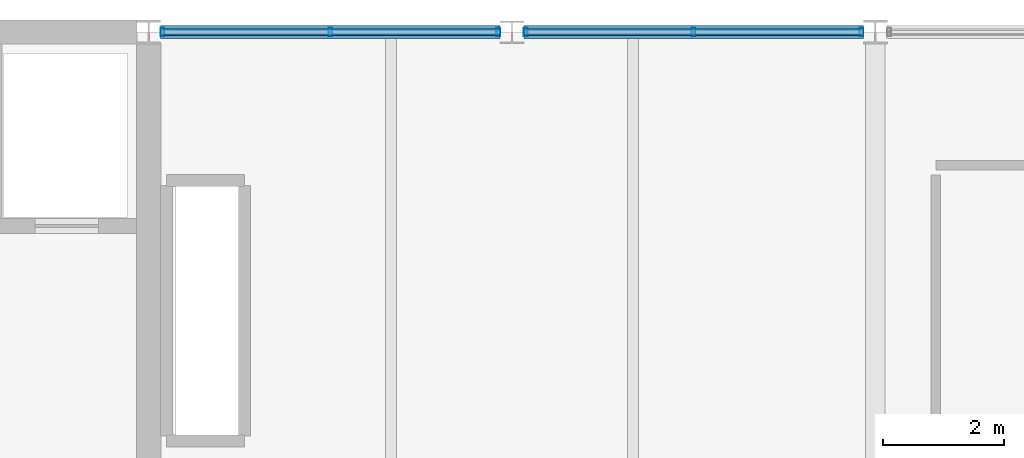
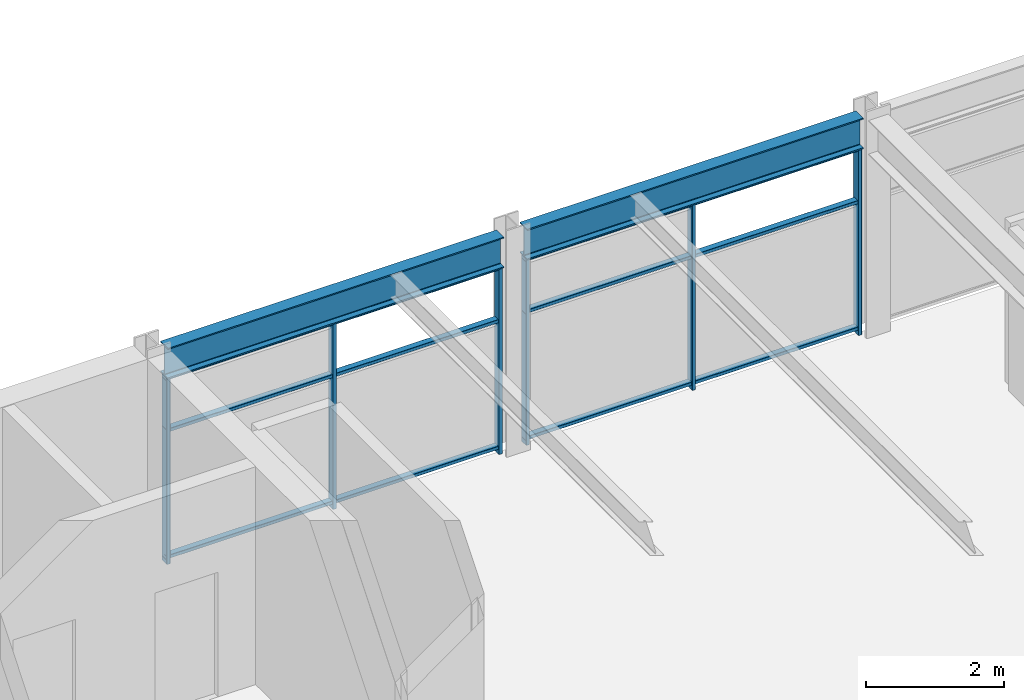
# One storey, part 23 of 52: 12 members, 2 beams, 2 elements without a shape of their own.
"""IFC4 building model written with IfcOpenShell, lengths in metres."""

import ifcopenshell
import ifcopenshell.guid

model = None  # the IFC model being written
_history = None  # IfcOwnerHistory: only IFC2X3 demands one
_inside = {}  # id of a spatial element -> (the spatial element, [elements in it])
_under = {}  # id of a project, library or spatial element -> (it, [spatial elements below it])
_declared = {}  # id of a project -> (the project, [libraries it declares])
_typed = {}  # id of a type object -> (the type object, [elements of that type])
_made_of = {}  # id of a material, layer set ... -> (it, [elements and type objects made of it])


def new_model(schema):
    """Start an empty IFC model of exactly this schema.

    Asked for "IFC4X3", IfcOpenShell would pick the latest addendum, in which some entities
    have other attributes; the version numbers below select the first issue.
    IFC2X3 requires an IfcOwnerHistory on every rooted entity: one is made here for all.
    """
    global model, _history
    if schema == "IFC4X3":
        model = ifcopenshell.file(schema_version=(4, 3, 0, 0))
    else:
        model = ifcopenshell.file(schema=schema)
    _inside.clear()
    _under.clear()
    _declared.clear()
    _typed.clear()
    _made_of.clear()
    _history = None
    if model.schema == "IFC2X3":
        org = make("IfcOrganization", Name="unknown")
        user = make(
            "IfcPersonAndOrganization",
            ThePerson=make("IfcPerson", FamilyName="unknown"),
            TheOrganization=org,
        )
        app = make(
            "IfcApplication",
            ApplicationDeveloper=org,
            Version="unknown",
            ApplicationFullName="unknown",
            ApplicationIdentifier="unknown",
        )
        _history = make(
            "IfcOwnerHistory",
            OwningUser=user,
            OwningApplication=app,
            ChangeAction="ADDED",
            CreationDate=0,
        )
    return model


def make(cls, **values):
    """One entity of the class cls with the attributes given. An attribute that is None is left unset."""
    return model.create_entity(
        cls, **{name: value for name, value in values.items() if value is not None}
    )


def rooted(cls, **values):
    """An entity with a GlobalId (a new one), such as an element, a storey or a relation."""
    return make(cls, GlobalId=ifcopenshell.guid.new(), OwnerHistory=_history, **values)


def si_unit(unit_type, name, prefix=None):
    """IfcSIUnit, for example si_unit("LENGTHUNIT", "METRE", prefix="MILLI")."""
    return make("IfcSIUnit", UnitType=unit_type, Prefix=prefix, Name=name)


def assignment(units):
    """IfcUnitAssignment: the units of a project."""
    return None if units is None else make("IfcUnitAssignment", Units=units)


def point(xyz):
    """IfcCartesianPoint."""
    return None if xyz is None else make("IfcCartesianPoint", Coordinates=xyz)


def direction(xyz):
    """IfcDirection."""
    return None if xyz is None else make("IfcDirection", DirectionRatios=xyz)


def frame(location, z_axis=None, x_axis=None):
    """IfcAxis2Placement3D, a coordinate frame: its origin and axes. An axis left out is left unset."""
    return make(
        "IfcAxis2Placement3D",
        Location=point(location),
        Axis=direction(z_axis),
        RefDirection=direction(x_axis),
    )


def frame_2d(location, x_axis=None):
    """IfcAxis2Placement2D, a coordinate frame in the plane: its origin and x axis."""
    return make(
        "IfcAxis2Placement2D", Location=point(location), RefDirection=direction(x_axis)
    )


def origin():
    """The frame at (0, 0, 0) with its axes left unset."""
    return frame((0.0, 0.0, 0.0))


def origin_2d():
    """The frame at (0, 0) in the plane with its x axis left unset."""
    return frame_2d((0.0, 0.0))


def place(relative_to, where):
    """IfcLocalPlacement: puts the frame where relative to a parent placement (None: the world)."""
    return make(
        "IfcLocalPlacement", PlacementRelTo=relative_to, RelativePlacement=where
    )


def context(
    kind, dimensions, precision=None, world=None, true_north=None, identifier=None
):
    """IfcGeometricRepresentationContext, for example the 3D "Model" context."""
    return make(
        "IfcGeometricRepresentationContext",
        ContextIdentifier=identifier,
        ContextType=kind,
        CoordinateSpaceDimension=dimensions,
        Precision=precision,
        WorldCoordinateSystem=world,
        TrueNorth=true_north,
    )


def subcontext(parent, identifier, kind, view, scale=None):
    """IfcGeometricRepresentationSubContext, for example "Body" below "Model"."""
    return make(
        "IfcGeometricRepresentationSubContext",
        ContextIdentifier=identifier,
        ContextType=kind,
        ParentContext=parent,
        TargetScale=scale,
        TargetView=view,
    )


def project(units=None, contexts=None):
    """IfcProject with its units and contexts."""
    return rooted(
        "IfcProject",
        Name="project",
        RepresentationContexts=contexts,
        UnitsInContext=assignment(units),
    )


def spatial(cls, under=None, at=None, **own):
    """A site, building, storey or space (cls), placed at a placement, below another one or the project."""
    s = rooted(cls, ObjectPlacement=at, **own)
    if under is not None:
        _under.setdefault(under.id(), (under, []))[1].append(s)
    return s


def profile(cls, at=None, kind="AREA", **sizes):
    """A parametric profile (cls). Its sizes go by their IFC names, for example OverallWidth=200.0."""
    return make(cls, ProfileType=kind, Position=at, **sizes)


def hollow_rectangle(**sizes):
    """IfcRectangleHollowProfileDef."""
    return profile("IfcRectangleHollowProfileDef", **sizes)


def i_section(**sizes):
    """IfcIShapeProfileDef."""
    return profile("IfcIShapeProfileDef", **sizes)


def extrude(swept, where, along, depth):
    """IfcExtrudedAreaSolid: the profile swept, set in the frame where, extruded along a direction by depth."""
    return make(
        "IfcExtrudedAreaSolid",
        SweptArea=swept,
        Position=where,
        ExtrudedDirection=direction(along),
        Depth=depth,
    )


def shape(context_of_items, identifier, shape_type, items):
    """IfcShapeRepresentation: the items that make up one representation, for example the "Body"."""
    return make(
        "IfcShapeRepresentation",
        ContextOfItems=context_of_items,
        RepresentationIdentifier=identifier,
        RepresentationType=shape_type,
        Items=items,
    )


def material(Name=None, Category=None):
    """IfcMaterial."""
    return make("IfcMaterial", Name=Name, Category=Category)


def material_profile(
    of_material, cross_section, Name=None, Category=None, Priority=None
):
    """IfcMaterialProfile: a cross section and its material."""
    return make(
        "IfcMaterialProfile",
        Name=Name,
        Material=of_material,
        Profile=cross_section,
        Priority=Priority,
        Category=Category,
    )


def profile_set(profiles, Name=None, composite=None):
    """IfcMaterialProfileSet."""
    return make(
        "IfcMaterialProfileSet",
        Name=Name,
        MaterialProfiles=profiles,
        CompositeProfile=composite,
    )


def made_of(thing, what):
    """Note that an element or type object is made of a material, layer set ...; save() writes the relation."""
    if what is not None:
        _made_of.setdefault(what.id(), (what, []))[1].append(thing)
    return thing


def type_object(cls, material=None, **own):
    """A type object (cls), such as IfcWallType, which elements share."""
    return made_of(rooted(cls, **own), material)


def element(
    cls,
    number,
    at=None,
    inside=None,
    cuts=None,
    type_object=None,
    material=None,
    context=None,
    identifier="Body",
    shape_type=None,
    held_by="IfcProductDefinitionShape",
    body=None,
    shapes=None,
    **own,
):
    """One element of the class cls, such as IfcWall. Its Tag is "e" and its number.

    at: its placement. inside: the storey or other place that contains it. cuts: it is an
    opening in that element (IfcRelVoidsElement). A single representation is given by context,
    identifier, shape_type and body (its items); several are given by shapes. held_by: the class
    of the entity that holds the representations. save() writes the other relations.
    """
    e = rooted(cls, Tag="e%d" % number, ObjectPlacement=at, **own)
    if body is not None:
        shapes = [shape(context, identifier, shape_type, body)]
    if shapes is not None:
        e.Representation = make(held_by, Representations=shapes)
    if inside is not None:
        _inside.setdefault(inside.id(), (inside, []))[1].append(e)
    if cuts is not None:
        rooted(
            "IfcRelVoidsElement", RelatingBuildingElement=cuts, RelatedOpeningElement=e
        )
    if type_object is not None:
        _typed.setdefault(type_object.id(), (type_object, []))[1].append(e)
    return made_of(e, material)


def aggregate(whole, parts):
    """IfcRelAggregates: a whole, such as a stair, and the parts it consists of."""
    return rooted("IfcRelAggregates", RelatingObject=whole, RelatedObjects=parts)


def save(model, path):
    """Write the relations noted so far, then the file.

    IfcRelAggregates (storeys below a building ...), IfcRelContainedInSpatialStructure (elements
    in a storey), IfcRelDefinesByType, IfcRelAssociatesMaterial and IfcRelDeclares: one each for
    every whole, place, type object, material and project.
    """
    for whole, parts in _under.values():
        aggregate(whole, parts)
    for where, things in _inside.values():
        rooted(
            "IfcRelContainedInSpatialStructure",
            RelatedElements=things,
            RelatingStructure=where,
        )
    for kind, things in _typed.values():
        rooted("IfcRelDefinesByType", RelatedObjects=things, RelatingType=kind)
    for what, things in _made_of.values():
        rooted("IfcRelAssociatesMaterial", RelatedObjects=things, RelatingMaterial=what)
    for by, libraries in _declared.values():
        rooted("IfcRelDeclares", RelatingContext=by, RelatedDefinitions=libraries)
    model.write(path)


model = new_model("IFC4")

# Units and contexts
model_context = context("Model", 3, precision=1e-05, world=origin(), true_north=direction((0.0, 1.0)))
body_context = subcontext(model_context, "Body", "Model", "MODEL_VIEW")
ifc_project = project(units=[si_unit("LENGTHUNIT", "METRE"), si_unit("AREAUNIT", "SQUARE_METRE"), si_unit("VOLUMEUNIT", "CUBIC_METRE"), si_unit("PLANEANGLEUNIT", "RADIAN"), si_unit("MASSUNIT", "GRAM", prefix="KILO")], contexts=[model_context])

# Site, building, storey
site_placement = place(None, origin())
site = spatial("IfcSite", under=ifc_project, at=site_placement, CompositionType="ELEMENT")
building_placement = place(site_placement, origin())
building = spatial("IfcBuilding", under=site, at=building_placement, Name="Girod Span Mobility Hub", CompositionType="ELEMENT")
storey_placement = place(building_placement, frame((0.0, 0.0, 45.60009765625)))
storey = spatial("IfcBuildingStorey", under=building, at=storey_placement, Name="L11", CompositionType="ELEMENT", Elevation=45.60009765625)

# Beams
ifc_material_1 = material(Name="Steel A992 Grade 50", Category="steel")
ifc_material_profile_1 = material_profile(ifc_material_1, i_section(OverallWidth=0.2119140625, OverallDepth=0.5439453125, WebThickness=0.01318359375, FlangeThickness=0.021240234375, FilletRadius=0.014892578125, at=origin_2d()), Name="W21X83")
ifc_profile_set_1 = profile_set([ifc_material_profile_1], Name="Steel A992 Grade 50")
beam_type = type_object("IfcBeamType", Name="BM-STL-W21X83", PredefinedType="SPANDREL", material=ifc_profile_set_1)
for number, where, z_axis, x_axis, name in (
    (1, (60.196533203125, 69.0, 3.56787109375), (1.0, 0.0, 0.0), (0.0, 1.0, 0.0), "Spandrel Beam 6-7/F-W L11"),
    (2, (66.194091796875, 69.0, 3.56787109375), (1.0, 0.0, 0.0), (0.0, 1.0, 0.0), "Spandrel Beam 6-7/F-E L11"),
):
    element("IfcBeam", number, at=place(storey_placement, frame(where, z_axis=z_axis, x_axis=x_axis)), inside=storey, type_object=beam_type, Name=name, PredefinedType="SPANDREL", context=body_context, shape_type="SweptSolid", body=[
        extrude(i_section(OverallWidth=0.2119140625, OverallDepth=0.5439453125, WebThickness=0.01318359375, FlangeThickness=0.021240234375, FilletRadius=0.014892578125, at=origin_2d()), origin(), (0.0, 0.0, 1.0), 5.609375),
    ])

# Curtain wall, members
ifc_material_2 = material(Name="Thermally Broken Anodised Aluminium", Category="aluminium")
curtain_wall_type = type_object("IfcCurtainWallType", Name="CW-561X330", PredefinedType="USERDEFINED", material=ifc_material_2)
curtain_wall_1_placement = place(storey_placement, origin())
curtain_wall_1 = element("IfcCurtainWall", 3, at=curtain_wall_1_placement, inside=storey, type_object=curtain_wall_type, Name="Unitised Curtain Wall CW-L11-N06W L11", ObjectType="UNITISED CURTAIN WALL", PredefinedType="USERDEFINED")
ifc_material_3 = material(Name="Thermally Broken Anodised Aluminium", Category="aluminium")
ifc_material_profile_2 = material_profile(ifc_material_3, hollow_rectangle(XDim=0.139892578125, YDim=0.06005859375, WallThickness=0.00341796875, InnerFilletRadius=0.00341796875, OuterFilletRadius=0.007080078125, at=origin_2d()), Name="CW-ML-60X140")
ifc_profile_set_2 = profile_set([ifc_material_profile_2], Name="Thermally Broken Anodised Aluminium")
member_type_1 = type_object("IfcMemberType", Name="CWM-ML-4", PredefinedType="MULLION", material=ifc_profile_set_2)
member_1_placement = place(storey_placement, frame((60.2294921875, 69.0, 0.0), z_axis=(0.0, 0.0, 1.0), x_axis=(0.0, 1.0, 0.0)))
member_1 = element("IfcMember", 4, at=member_1_placement, type_object=member_type_1, Name="Curtain Wall Mullion CW-L11-N06W-M0", PredefinedType="MULLION", context=body_context, shape_type="SweptSolid", body=[
    extrude(hollow_rectangle(XDim=0.139892578125, YDim=0.06005859375, WallThickness=0.00341796875, InnerFilletRadius=0.00341796875, OuterFilletRadius=0.007080078125, at=origin_2d()), origin(), (0.0, 0.0, 1.0), 3.2958984375),
])
member_2_placement = place(storey_placement, frame((63.001220703125, 69.0, 0.0), z_axis=(0.0, 0.0, 1.0), x_axis=(0.0, 1.0, 0.0)))
member_2 = element("IfcMember", 5, at=member_2_placement, type_object=member_type_1, Name="Curtain Wall Mullion CW-L11-N06W-M1", PredefinedType="MULLION", context=body_context, shape_type="SweptSolid", body=[
    extrude(hollow_rectangle(XDim=0.139892578125, YDim=0.06005859375, WallThickness=0.00341796875, InnerFilletRadius=0.00341796875, OuterFilletRadius=0.007080078125, at=origin_2d()), origin(), (0.0, 0.0, 1.0), 3.2958984375),
])
member_3_placement = place(storey_placement, frame((65.77294921875, 69.0, 0.0), z_axis=(0.0, 0.0, 1.0), x_axis=(0.0, 1.0, 0.0)))
member_3 = element("IfcMember", 6, at=member_3_placement, type_object=member_type_1, Name="Curtain Wall Mullion CW-L11-N06W-M2", PredefinedType="MULLION", context=body_context, shape_type="SweptSolid", body=[
    extrude(hollow_rectangle(XDim=0.139892578125, YDim=0.06005859375, WallThickness=0.00341796875, InnerFilletRadius=0.00341796875, OuterFilletRadius=0.007080078125, at=origin_2d()), origin(), (0.0, 0.0, 1.0), 3.2958984375),
])

curtain_wall_2_placement = place(storey_placement, origin())
curtain_wall_2 = element("IfcCurtainWall", 7, at=curtain_wall_2_placement, inside=storey, type_object=curtain_wall_type, Name="Unitised Curtain Wall CW-L11-N06E L11", ObjectType="UNITISED CURTAIN WALL", PredefinedType="USERDEFINED")
member_4_placement = place(storey_placement, frame((66.22705078125, 69.0, 0.0), z_axis=(0.0, 0.0, 1.0), x_axis=(0.0, 1.0, 0.0)))
member_4 = element("IfcMember", 8, at=member_4_placement, type_object=member_type_1, Name="Curtain Wall Mullion CW-L11-N06E-M0", PredefinedType="MULLION", context=body_context, shape_type="SweptSolid", body=[
    extrude(hollow_rectangle(XDim=0.139892578125, YDim=0.06005859375, WallThickness=0.00341796875, InnerFilletRadius=0.00341796875, OuterFilletRadius=0.007080078125, at=origin_2d()), origin(), (0.0, 0.0, 1.0), 3.2958984375),
])
member_5_placement = place(storey_placement, frame((68.998779296875, 69.0, 0.0), z_axis=(0.0, 0.0, 1.0), x_axis=(0.0, 1.0, 0.0)))
member_5 = element("IfcMember", 9, at=member_5_placement, type_object=member_type_1, Name="Curtain Wall Mullion CW-L11-N06E-M1", PredefinedType="MULLION", context=body_context, shape_type="SweptSolid", body=[
    extrude(hollow_rectangle(XDim=0.139892578125, YDim=0.06005859375, WallThickness=0.00341796875, InnerFilletRadius=0.00341796875, OuterFilletRadius=0.007080078125, at=origin_2d()), origin(), (0.0, 0.0, 1.0), 3.2958984375),
])
member_6_placement = place(storey_placement, frame((71.7705078125, 69.0, 0.0), z_axis=(0.0, 0.0, 1.0), x_axis=(0.0, 1.0, 0.0)))
member_6 = element("IfcMember", 10, at=member_6_placement, type_object=member_type_1, Name="Curtain Wall Mullion CW-L11-N06E-M2", PredefinedType="MULLION", context=body_context, shape_type="SweptSolid", body=[
    extrude(hollow_rectangle(XDim=0.139892578125, YDim=0.06005859375, WallThickness=0.00341796875, InnerFilletRadius=0.00341796875, OuterFilletRadius=0.007080078125, at=origin_2d()), origin(), (0.0, 0.0, 1.0), 3.2958984375),
])

# Member
ifc_material_4 = material(Name="Thermally Broken Anodised Aluminium", Category="aluminium")
ifc_material_profile_3 = material_profile(ifc_material_4, hollow_rectangle(XDim=0.10498046875, YDim=0.06005859375, WallThickness=0.00341796875, InnerFilletRadius=0.00341796875, OuterFilletRadius=0.007080078125, at=origin_2d()), Name="CW-TR-60X105")
ifc_profile_set_3 = profile_set([ifc_material_profile_3], Name="Thermally Broken Anodised Aluminium")
member_type_2 = type_object("IfcMemberType", Name="CWM-TR-4", PredefinedType="USERDEFINED", material=ifc_profile_set_3)
member_7_placement = place(storey_placement, frame((60.197509765625, 69.0, 0.10986328125), z_axis=(1.0, 0.0, 0.0), x_axis=(0.0, 1.0, 0.0)))
member_7 = element("IfcMember", 11, at=member_7_placement, type_object=member_type_2, Name="Curtain Wall Transom CW-L11-N06W-T1", ObjectType="TRANSOM", PredefinedType="USERDEFINED", context=body_context, shape_type="SweptSolid", body=[
    extrude(hollow_rectangle(XDim=0.10498046875, YDim=0.06005859375, WallThickness=0.00341796875, InnerFilletRadius=0.00341796875, OuterFilletRadius=0.007080078125, at=origin_2d()), origin(), (0.0, 0.0, 1.0), 5.607421875),
])

member_8_placement = place(storey_placement, frame((60.197509765625, 69.0, 2.343017578125), z_axis=(1.0, 0.0, 0.0), x_axis=(0.0, 1.0, 0.0)))
member_8 = element("IfcMember", 12, at=member_8_placement, type_object=member_type_2, Name="Curtain Wall Transom CW-L11-N06W-T2", ObjectType="TRANSOM", PredefinedType="USERDEFINED", context=body_context, shape_type="SweptSolid", body=[
    extrude(hollow_rectangle(XDim=0.10498046875, YDim=0.06005859375, WallThickness=0.00341796875, InnerFilletRadius=0.00341796875, OuterFilletRadius=0.007080078125, at=origin_2d()), origin(), (0.0, 0.0, 1.0), 5.607421875),
])

member_9_placement = place(storey_placement, frame((60.197509765625, 69.0, 3.265869140625), z_axis=(1.0, 0.0, 0.0), x_axis=(0.0, 1.0, 0.0)))
member_9 = element("IfcMember", 13, at=member_9_placement, type_object=member_type_2, Name="Curtain Wall Transom CW-L11-N06W-T3", ObjectType="TRANSOM", PredefinedType="USERDEFINED", context=body_context, shape_type="SweptSolid", body=[
    extrude(hollow_rectangle(XDim=0.10498046875, YDim=0.06005859375, WallThickness=0.00341796875, InnerFilletRadius=0.00341796875, OuterFilletRadius=0.007080078125, at=origin_2d()), origin(), (0.0, 0.0, 1.0), 5.607421875),
])

aggregate(curtain_wall_1, [member_1, member_2, member_3, member_7, member_8, member_9])

member_10_placement = place(storey_placement, frame((66.195068359375, 69.0, 0.10986328125), z_axis=(1.0, 0.0, 0.0), x_axis=(0.0, 1.0, 0.0)))
member_10 = element("IfcMember", 14, at=member_10_placement, type_object=member_type_2, Name="Curtain Wall Transom CW-L11-N06E-T1", ObjectType="TRANSOM", PredefinedType="USERDEFINED", context=body_context, shape_type="SweptSolid", body=[
    extrude(hollow_rectangle(XDim=0.10498046875, YDim=0.06005859375, WallThickness=0.00341796875, InnerFilletRadius=0.00341796875, OuterFilletRadius=0.007080078125, at=origin_2d()), origin(), (0.0, 0.0, 1.0), 5.607421875),
])

member_11_placement = place(storey_placement, frame((66.195068359375, 69.0, 2.343017578125), z_axis=(1.0, 0.0, 0.0), x_axis=(0.0, 1.0, 0.0)))
member_11 = element("IfcMember", 15, at=member_11_placement, type_object=member_type_2, Name="Curtain Wall Transom CW-L11-N06E-T2", ObjectType="TRANSOM", PredefinedType="USERDEFINED", context=body_context, shape_type="SweptSolid", body=[
    extrude(hollow_rectangle(XDim=0.10498046875, YDim=0.06005859375, WallThickness=0.00341796875, InnerFilletRadius=0.00341796875, OuterFilletRadius=0.007080078125, at=origin_2d()), origin(), (0.0, 0.0, 1.0), 5.607421875),
])

member_12_placement = place(storey_placement, frame((66.195068359375, 69.0, 3.265869140625), z_axis=(1.0, 0.0, 0.0), x_axis=(0.0, 1.0, 0.0)))
member_12 = element("IfcMember", 16, at=member_12_placement, type_object=member_type_2, Name="Curtain Wall Transom CW-L11-N06E-T3", ObjectType="TRANSOM", PredefinedType="USERDEFINED", context=body_context, shape_type="SweptSolid", body=[
    extrude(hollow_rectangle(XDim=0.10498046875, YDim=0.06005859375, WallThickness=0.00341796875, InnerFilletRadius=0.00341796875, OuterFilletRadius=0.007080078125, at=origin_2d()), origin(), (0.0, 0.0, 1.0), 5.607421875),
])

aggregate(curtain_wall_2, [member_4, member_5, member_6, member_10, member_11, member_12])

save(model, "model.ifc")
